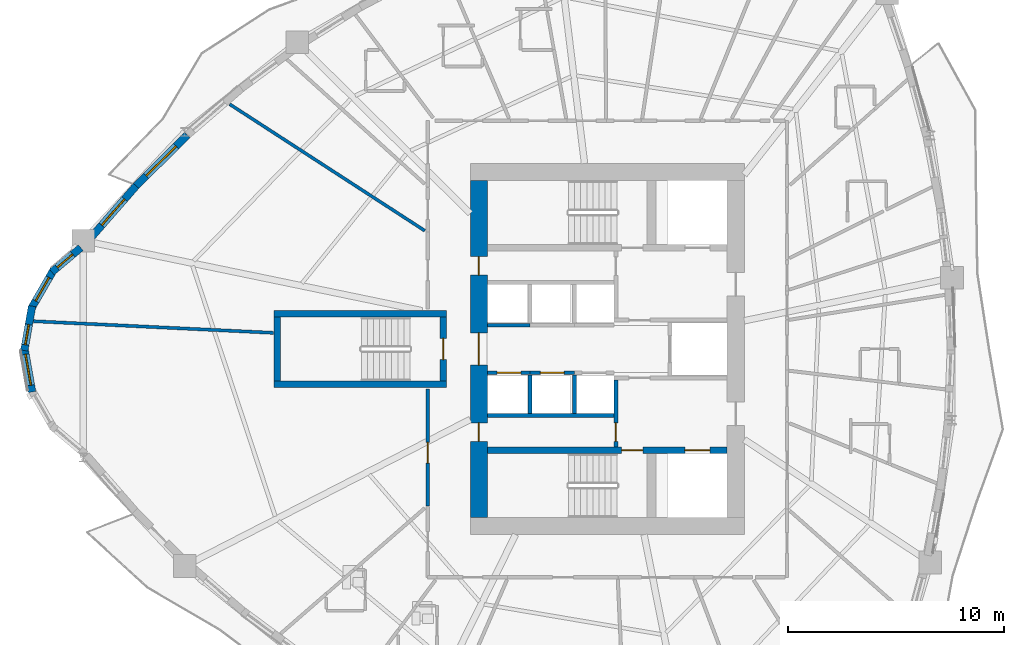
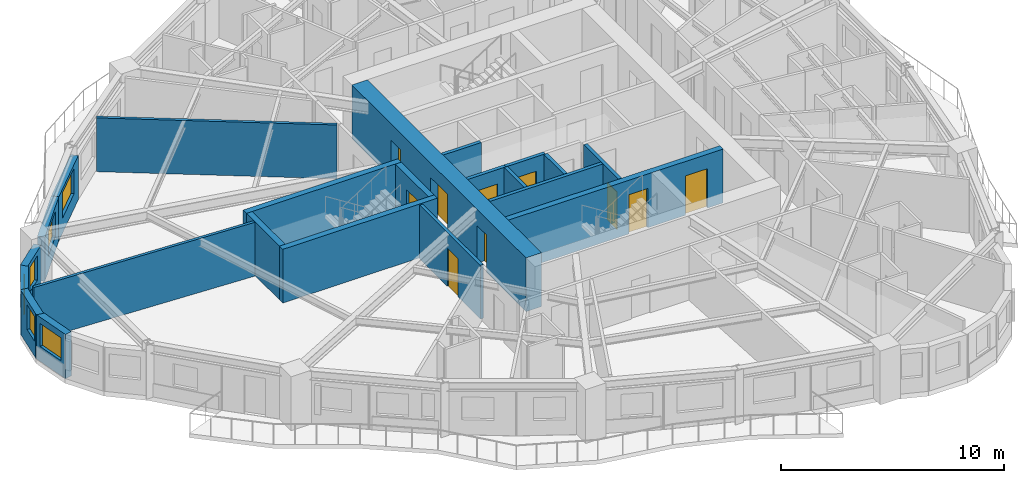
# One storey, part 4 of 14: 22 walls, 10 doors, 6 windows, 16 openings.
"""IFC4 building model written with IfcOpenShell, lengths in metres."""

from ifc_helpers import new_model, si_unit, direction, frame, frame_2d, origin, place, context, subcontext, project, spatial, rectangle, extrude, source, transform, mapped, material, layer, layer_set, type_object, element, fill, save


model = new_model("IFC4")

# Units and contexts
model_context = context("Model", 3, precision=1e-05, world=origin(), true_north=direction((0.0, 1.0)))
body_context = subcontext(model_context, "Body", "Model", "MODEL_VIEW")
ifc_project = project(units=[si_unit("LENGTHUNIT", "METRE"), si_unit("AREAUNIT", "SQUARE_METRE"), si_unit("VOLUMEUNIT", "CUBIC_METRE"), si_unit("PLANEANGLEUNIT", "RADIAN"), si_unit("MASSUNIT", "GRAM", prefix="KILO")], contexts=[model_context])

# Site, building, storey
site_placement = place(None, origin())
site = spatial("IfcSite", under=ifc_project, at=site_placement, CompositionType="ELEMENT")
building_placement = place(site_placement, origin())
building = spatial("IfcBuilding", under=site, at=building_placement, Name="Qafzar Sky-Pleat Residences", CompositionType="ELEMENT")
storey_placement = place(building_placement, frame((0.0, 0.0, 43.0)))
storey = spatial("IfcBuildingStorey", under=building, at=storey_placement, Name="L12", CompositionType="ELEMENT", Elevation=43.0)

# Wall, opening, door
ifc_material_1 = material(Name="Acoustic gypsum plasterboard partition", Category="gypsum")
ifc_layer_1 = layer(ifc_material_1, 0.159912109375)
ifc_layer_set_1 = layer_set([ifc_layer_1], Name="Acoustic gypsum plasterboard partition")
wall_type_1 = type_object("IfcWallType", Name="PART-COR-160", PredefinedType="PARTITIONING", material=ifc_layer_set_1)
wall_1_placement = place(storey_placement, frame((22.02001953125, 18.721923828125, 0.0), z_axis=(0.0, 0.0, 1.0), x_axis=(0.0, 1.0, 0.0)))
wall_1 = element("IfcWall", 1, at=wall_1_placement, inside=storey, type_object=wall_type_1, Name="L12 Partition Wall PART-L12-PW-001", PredefinedType="PARTITIONING", context=body_context, shape_type="SweptSolid", body=[
    extrude(rectangle(XDim=5.427978515625, YDim=0.159912109375, at=frame_2d((2.7138671875, 0.0))), origin(), (0.0, 0.0, 1.0), 2.93994140625),
])
opening_1_placement = place(wall_1_placement, frame((1.99609375, 0.0, 0.0)))
opening_1 = element("IfcOpeningElement", 2, at=opening_1_placement, cuts=wall_1, Name="Opening ID-06", PredefinedType="OPENING", context=body_context, shape_type="SweptSolid", body=[
    extrude(rectangle(XDim=0.9599609375, YDim=2.10009765625, at=frame_2d((0.47998046875, 1.050048828125))), frame((0.0, 0.08984375, 0.0), z_axis=(0.0, -1.0, 0.0), x_axis=(1.0, 0.0, 0.0)), (0.0, 0.0, 1.0), 0.179931640625),
])
ifc_material_2 = material(Name="Timber-faced fire door", Category="wood")
door_type_1 = type_object("IfcDoorType", Name="DR-STD-960", OperationType="NOTDEFINED", PredefinedType="DOOR", material=ifc_material_2)
shared_shape_1 = source(origin(), body_context, "Body", "SweptSolid", [
    extrude(rectangle(XDim=0.9599609375, YDim=2.10009765625, at=frame_2d((0.47998046875, 1.050048828125))), frame((0.0, 0.02490234375, 0.0), z_axis=(0.0, -1.0, 0.0), x_axis=(1.0, 0.0, 0.0)), (0.0, 0.0, 1.0), 0.050048828125),
])
door_1_placement = place(opening_1_placement, origin())
door_1 = element("IfcDoor", 3, at=door_1_placement, inside=storey, type_object=door_type_1, Name="L12 Scholar Co-Working Workspace Door", OperationType="SINGLE_SWING_RIGHT", OverallHeight=2.10009765625, OverallWidth=0.9599609375, PredefinedType="DOOR", context=body_context, shape_type="MappedRepresentation", body=[
    mapped(shared_shape_1, transform((0.0, 0.0, 0.0), x_axis=(1.0, 0.0, 0.0), y_axis=(0.0, 1.0, 0.0), z_axis=(0.0, 0.0, 1.0), scale=1.0)),
])
fill(opening_1, door_1)

ifc_material_3 = material(Name="Concrete blockwork partition", Category="masonry")
ifc_layer_2 = layer(ifc_material_3, 0.179931640625)
ifc_layer_set_2 = layer_set([ifc_layer_2], Name="Concrete blockwork partition")
wall_type_2 = type_object("IfcWallType", Name="PART-SHAFT-180", PredefinedType="PARTITIONING", material=ifc_layer_set_2)
wall_2_placement = place(storey_placement, frame((30.75, 21.4599609375, 0.0), z_axis=(0.0, 0.0, 1.0), x_axis=(0.0, 1.0, 0.0)))
wall_2 = element("IfcWall", 4, at=wall_2_placement, inside=storey, type_object=wall_type_2, Name="L12 Partition Wall PART-L12-FFL1-W", PredefinedType="PARTITIONING", context=body_context, shape_type="SweptSolid", body=[
    extrude(rectangle(XDim=3.110107421875, YDim=0.179931640625, at=frame_2d((1.55517578125, 0.0))), origin(), (0.0, 0.0, 1.0), 2.93994140625),
])
opening_2_placement = place(wall_2_placement, frame((0.260009765625, 0.0, 0.0)))
opening_2 = element("IfcOpeningElement", 5, at=opening_2_placement, cuts=wall_2, Name="Opening ID-09", PredefinedType="OPENING", context=body_context, shape_type="SweptSolid", body=[
    extrude(rectangle(XDim=0.860107421875, YDim=2.050048828125, at=frame_2d((0.43017578125, 1.02490234375))), frame((0.0, 0.10009765625, 0.0), z_axis=(0.0, -1.0, 0.0), x_axis=(1.0, 0.0, 0.0)), (0.0, 0.0, 1.0), 0.199951171875),
])
door_type_2 = type_object("IfcDoorType", Name="DR-SVC-860", OperationType="NOTDEFINED", PredefinedType="DOOR", material=ifc_material_2)
shared_shape_2 = source(origin(), body_context, "Body", "SweptSolid", [
    extrude(rectangle(XDim=0.860107421875, YDim=2.050048828125, at=frame_2d((0.43017578125, 1.02490234375))), frame((0.0, 0.02490234375, 0.0), z_axis=(0.0, -1.0, 0.0), x_axis=(1.0, 0.0, 0.0)), (0.0, 0.0, 1.0), 0.050048828125),
])
door_2_placement = place(opening_2_placement, origin())
door_2 = element("IfcDoor", 6, at=door_2_placement, inside=storey, type_object=door_type_2, Name="L12 South Core Cupboard Door", OperationType="SINGLE_SWING_RIGHT", OverallHeight=2.050048828125, OverallWidth=0.860107421875, PredefinedType="DOOR", context=body_context, shape_type="MappedRepresentation", body=[
    mapped(shared_shape_2, transform((0.0, 0.0, 0.0), x_axis=(1.0, 0.0, 0.0), y_axis=(0.0, 1.0, 0.0), z_axis=(0.0, 0.0, 1.0), scale=1.0)),
])
fill(opening_2, door_2)

# Wall
wall_3_placement = place(storey_placement, frame((24.81005859375, 22.919921875, 0.0), z_axis=(0.0, 0.0, 1.0), x_axis=(1.0, 0.0, 0.0)))
element("IfcWall", 7, at=wall_3_placement, inside=storey, type_object=wall_type_2, Name="L12 Partition Wall PART-L12-P13-S", PredefinedType="PARTITIONING", context=body_context, shape_type="SweptSolid", body=[
    extrude(rectangle(XDim=5.83984375, YDim=0.179931640625, at=frame_2d((2.919921875, 0.0))), origin(), (0.0, 0.0, 1.0), 2.93994140625),
])

# Wall, opening, door
wall_4_placement = place(storey_placement, frame((24.81005859375, 24.89990234375, 0.0), z_axis=(0.0, 0.0, 1.0), x_axis=(1.0, 0.0, 0.0)))
wall_4 = element("IfcWall", 8, at=wall_4_placement, inside=storey, type_object=wall_type_2, Name="L12 Partition Wall PART-L12-P1-N", PredefinedType="PARTITIONING", context=body_context, shape_type="SweptSolid", body=[
    extrude(rectangle(XDim=1.96484375, YDim=0.179931640625, at=frame_2d((0.982421875, 0.0))), origin(), (0.0, 0.0, 1.0), 2.93994140625),
])
opening_3_placement = place(wall_4_placement, frame((0.4326171875, 0.0, 0.0)))
opening_3 = element("IfcOpeningElement", 9, at=opening_3_placement, cuts=wall_4, Name="Opening LD-01", PredefinedType="OPENING", context=body_context, shape_type="SweptSolid", body=[
    extrude(rectangle(XDim=1.10009765625, YDim=2.14990234375, at=frame_2d((0.550048828125, 1.074951171875))), frame((0.0, 0.10009765625, 0.0), z_axis=(0.0, -1.0, 0.0), x_axis=(1.0, 0.0, 0.0)), (0.0, 0.0, 1.0), 0.199951171875),
])
ifc_material_4 = material(Name="Stainless steel sliding landing door", Category="steel")
door_type_3 = type_object("IfcDoorType", Name="DR-LIFT-P", OperationType="DOUBLE_DOOR_SLIDING", PredefinedType="DOOR", material=ifc_material_4)
shared_shape_3 = source(origin(), body_context, "Body", "SweptSolid", [
    extrude(rectangle(XDim=1.10009765625, YDim=2.14990234375, at=frame_2d((0.550048828125, 1.074951171875))), frame((0.0, 0.02490234375, 0.0), z_axis=(0.0, -1.0, 0.0), x_axis=(1.0, 0.0, 0.0)), (0.0, 0.0, 1.0), 0.050048828125),
])
door_3_placement = place(opening_3_placement, origin())
door_3 = element("IfcDoor", 10, at=door_3_placement, inside=storey, type_object=door_type_3, Name="L12 Passenger Lift P1 Landing Door", OperationType="DOUBLE_DOOR_SLIDING", OverallHeight=2.14990234375, OverallWidth=1.10009765625, PredefinedType="DOOR", context=body_context, shape_type="MappedRepresentation", body=[
    mapped(shared_shape_3, transform((0.0, 0.0, 0.0), x_axis=(1.0, 0.0, 0.0), y_axis=(0.0, 1.0, 0.0), z_axis=(0.0, 0.0, 1.0), scale=1.0)),
])
fill(opening_3, door_3)

wall_5_placement = place(storey_placement, frame((26.77490234375, 24.89990234375, 0.0), z_axis=(0.0, 0.0, 1.0), x_axis=(1.0, 0.0, 0.0)))
wall_5 = element("IfcWall", 11, at=wall_5_placement, inside=storey, type_object=wall_type_2, Name="L12 Partition Wall PART-L12-P2-N", PredefinedType="PARTITIONING", context=body_context, shape_type="SweptSolid", body=[
    extrude(rectangle(XDim=2.050048828125, YDim=0.179931640625, at=frame_2d((1.02490234375, 0.0))), origin(), (0.0, 0.0, 1.0), 2.93994140625),
])
opening_4_placement = place(wall_5_placement, frame((0.47509765625, 0.0, 0.0)))
opening_4 = element("IfcOpeningElement", 12, at=opening_4_placement, cuts=wall_5, Name="Opening LD-01", PredefinedType="OPENING", context=body_context, shape_type="SweptSolid", body=[
    extrude(rectangle(XDim=1.10009765625, YDim=2.14990234375, at=frame_2d((0.550048828125, 1.074951171875))), frame((0.0, 0.10009765625, 0.0), z_axis=(0.0, -1.0, 0.0), x_axis=(1.0, 0.0, 0.0)), (0.0, 0.0, 1.0), 0.199951171875),
])
door_4_placement = place(opening_4_placement, origin())
door_4 = element("IfcDoor", 13, at=door_4_placement, inside=storey, type_object=door_type_3, Name="L12 Passenger Lift P2 Landing Door", OperationType="DOUBLE_DOOR_SLIDING", OverallHeight=2.14990234375, OverallWidth=1.10009765625, PredefinedType="DOOR", context=body_context, shape_type="MappedRepresentation", body=[
    mapped(shared_shape_3, transform((0.0, 0.0, 0.0), x_axis=(1.0, 0.0, 0.0), y_axis=(0.0, 1.0, 0.0), z_axis=(0.0, 0.0, 1.0), scale=1.0)),
])
fill(opening_4, door_4)

# Walls
for number, where, z_axis, x_axis, name in (
    (14, (26.77490234375, 23.02001953125, 0.0), (0.0, 0.0, 1.0), (0.0, 1.0, 0.0), "L12 Partition Wall PART-L12-P13-DIV-1"),
    (15, (28.824951171875, 23.02001953125, 0.0), (0.0, 0.0, 1.0), (0.0, 1.0, 0.0), "L12 Partition Wall PART-L12-P13-DIV-2"),
):
    element("IfcWall", number, at=place(storey_placement, frame(where, z_axis=z_axis, x_axis=x_axis)), inside=storey, type_object=wall_type_2, Name=name, PredefinedType="PARTITIONING", context=body_context, shape_type="SweptSolid", body=[
        extrude(rectangle(XDim=1.780029296875, YDim=0.179931640625, at=frame_2d((0.89013671875, 0.0))), origin(), (0.0, 0.0, 1.0), 2.93994140625),
    ])
wall_6_placement = place(storey_placement, frame((24.81005859375, 27.10009765625, 0.0), z_axis=(0.0, 0.0, 1.0), x_axis=(1.0, 0.0, 0.0)))
element("IfcWall", 16, at=wall_6_placement, inside=storey, type_object=wall_type_2, Name="L12 Partition Wall PART-L12-P4-S", PredefinedType="PARTITIONING", context=body_context, shape_type="SweptSolid", body=[
    extrude(rectangle(XDim=1.96484375, YDim=0.179931640625, at=frame_2d((0.982421875, 0.0))), origin(), (0.0, 0.0, 1.0), 2.93994140625),
])
ifc_layer_3 = layer(ifc_material_1, 0.14501953125)
ifc_layer_set_3 = layer_set([ifc_layer_3], Name="Acoustic gypsum plasterboard partition")
wall_type_3 = type_object("IfcWallType", Name="PART-UNIT-145", PredefinedType="PARTITIONING", material=ifc_layer_set_3)
wall_7_placement = place(storey_placement, frame((3.764892578125, 27.288818359375, 0.0), z_axis=(0.0, 0.0, 1.0), x_axis=(0.998826748689, -0.048426502082, 0.0)))
element("IfcWall", 17, at=wall_7_placement, inside=storey, type_object=wall_type_3, Name="L12 Partition Wall PART-L12-PW-037", PredefinedType="PARTITIONING", context=body_context, shape_type="SweptSolid", body=[
    extrude(rectangle(XDim=11.13671875, YDim=0.14501953125, at=frame_2d((5.568359375, 0.0))), origin(), (0.0, 0.0, 1.0), 2.93994140625),
])
wall_8_placement = place(storey_placement, frame((12.849853515625, 37.3466796875, 0.0), z_axis=(0.0, 0.0, 1.0), x_axis=(0.839070272759, -0.544023048567, 0.0)))
element("IfcWall", 18, at=wall_8_placement, inside=storey, type_object=wall_type_3, Name="L12 Partition Wall PART-L12-PW-039", PredefinedType="PARTITIONING", context=body_context, shape_type="SweptSolid", body=[
    extrude(rectangle(XDim=10.778564453125, YDim=0.14501953125, at=frame_2d((5.38916015625, 0.0))), origin(), (0.0, 0.0, 1.0), 2.93994140625),
])

# Wall, opening, window
ifc_material_5 = material(Name="Precast concrete C40/50 with honed Riyadh limestone", Category="concrete")
ifc_layer_4 = layer(ifc_material_5, 0.35009765625)
ifc_layer_set_4 = layer_set([ifc_layer_4], Name="Precast concrete C40/50 with honed Riyadh limestone")
wall_type_4 = type_object("IfcWallType", Name="WALL-EXT-350", PredefinedType="SOLIDWALL", material=ifc_layer_set_4)
wall_9_placement = place(storey_placement, frame((5.94775390625, 30.696044921875, 0.0), z_axis=(0.0, 0.0, 1.0), x_axis=(-0.766058770736, -0.642770534311, 0.0)))
wall_9 = element("IfcWall", 19, at=wall_9_placement, inside=storey, type_object=wall_type_4, Name="L12 Limestone Facade Wall 1", PredefinedType="SOLIDWALL", context=body_context, shape_type="SweptSolid", body=[
    extrude(rectangle(XDim=1.75244140625, YDim=0.35009765625, at=frame_2d((0.876220703125, 0.0))), origin(), (0.0, 0.0, 1.0), 2.419921875),
])
opening_5_placement = place(wall_9_placement, frame((0.476318359375, 0.0, 0.820068359375)))
opening_5 = element("IfcOpeningElement", 20, at=opening_5_placement, cuts=wall_9, Name="Opening WN-12", PredefinedType="OPENING", context=body_context, shape_type="SweptSolid", body=[
    extrude(rectangle(XDim=0.949951171875, YDim=1.35009765625, at=frame_2d((0.47509765625, 0.675048828125))), frame((0.0, 0.18505859375, 0.0), z_axis=(0.0, -1.0, 0.0), x_axis=(1.0, 0.0, 0.0)), (0.0, 0.0, 1.0), 0.3701171875),
])
ifc_material_6 = material(Name="Solar-control low-E glass in bronze aluminium frame", Category="glass")
window_type_1 = type_object("IfcWindowType", Name="WIN-12", PartitioningType="SINGLE_PANEL", PredefinedType="WINDOW", material=ifc_material_6)
shared_shape_4 = source(origin(), body_context, "Body", "SweptSolid", [
    extrude(rectangle(XDim=0.949951171875, YDim=1.35009765625, at=frame_2d((0.47509765625, 0.675048828125))), frame((0.0, 0.030029296875, 0.0), z_axis=(0.0, -1.0, 0.0), x_axis=(1.0, 0.0, 0.0)), (0.0, 0.0, 1.0), 0.06005859375),
])
window_1_placement = place(opening_5_placement, origin())
window_1 = element("IfcWindow", 21, at=window_1_placement, inside=storey, type_object=window_type_1, Name="L12 Punched Facade Window 01", OverallHeight=1.35009765625, OverallWidth=0.949951171875, PartitioningType="SINGLE_PANEL", PredefinedType="WINDOW", context=body_context, shape_type="MappedRepresentation", body=[
    mapped(shared_shape_4, transform((0.0, 0.0, 0.0), x_axis=(1.0, 0.0, 0.0), y_axis=(0.0, 1.0, 0.0), z_axis=(0.0, 0.0, 1.0), scale=1.0)),
])
fill(opening_5, window_1)

wall_10_placement = place(storey_placement, frame((4.6923828125, 29.673583984375, 0.0), z_axis=(0.0, 0.0, 1.0), x_axis=(-0.49990781971, -0.866078617559, 0.0)))
wall_10 = element("IfcWall", 22, at=wall_10_placement, inside=storey, type_object=wall_type_4, Name="L12 Limestone Facade Wall 2", PredefinedType="SOLIDWALL", context=body_context, shape_type="SweptSolid", body=[
    extrude(rectangle(XDim=2.09033203125, YDim=0.35009765625, at=frame_2d((1.045166015625, 0.0))), origin(), (0.0, 0.0, 1.0), 2.419921875),
])
opening_6_placement = place(wall_10_placement, frame((0.420166015625, 0.0, 0.820068359375)))
opening_6 = element("IfcOpeningElement", 23, at=opening_6_placement, cuts=wall_10, Name="Opening WN-11", PredefinedType="OPENING", context=body_context, shape_type="SweptSolid", body=[
    extrude(rectangle(XDim=1.25, YDim=1.35009765625, at=frame_2d((0.625, 0.675048828125))), frame((0.0, 0.18505859375, 0.0), z_axis=(0.0, -1.0, 0.0), x_axis=(1.0, 0.0, 0.0)), (0.0, 0.0, 1.0), 0.3701171875),
])
window_type_2 = type_object("IfcWindowType", Name="WIN-11", PartitioningType="SINGLE_PANEL", PredefinedType="WINDOW", material=ifc_material_6)
shared_shape_5 = source(origin(), body_context, "Body", "SweptSolid", [
    extrude(rectangle(XDim=1.25, YDim=1.35009765625, at=frame_2d((0.625, 0.675048828125))), frame((0.0, 0.030029296875, 0.0), z_axis=(0.0, -1.0, 0.0), x_axis=(1.0, 0.0, 0.0)), (0.0, 0.0, 1.0), 0.06005859375),
])
window_2_placement = place(opening_6_placement, origin())
window_2 = element("IfcWindow", 24, at=window_2_placement, inside=storey, type_object=window_type_2, Name="L12 Punched Facade Window 02", OverallHeight=1.35009765625, OverallWidth=1.25, PartitioningType="SINGLE_PANEL", PredefinedType="WINDOW", context=body_context, shape_type="MappedRepresentation", body=[
    mapped(shared_shape_5, transform((0.0, 0.0, 0.0), x_axis=(1.0, 0.0, 0.0), y_axis=(0.0, 1.0, 0.0), z_axis=(0.0, 0.0, 1.0), scale=1.0)),
])
fill(opening_6, window_2)

wall_11_placement = place(storey_placement, frame((3.693603515625, 27.99072265625, 0.0), z_axis=(0.0, 0.0, 1.0), x_axis=(-0.173558792186, -0.984823509902, 0.0)))
wall_11 = element("IfcWall", 25, at=wall_11_placement, inside=storey, type_object=wall_type_4, Name="L12 Limestone Facade Wall 3", PredefinedType="SOLIDWALL", context=body_context, shape_type="SweptSolid", body=[
    extrude(rectangle(XDim=2.09033203125, YDim=0.35009765625, at=frame_2d((1.045166015625, 0.0))), origin(), (0.0, 0.0, 1.0), 2.419921875),
])
opening_7_placement = place(wall_11_placement, frame((0.871337890625, 0.0, 0.820068359375)))
opening_7 = element("IfcOpeningElement", 26, at=opening_7_placement, cuts=wall_11, Name="Opening WN-12", PredefinedType="OPENING", context=body_context, shape_type="SweptSolid", body=[
    extrude(rectangle(XDim=0.949951171875, YDim=1.35009765625, at=frame_2d((0.47509765625, 0.675048828125))), frame((0.0, 0.18505859375, 0.0), z_axis=(0.0, -1.0, 0.0), x_axis=(1.0, 0.0, 0.0)), (0.0, 0.0, 1.0), 0.3701171875),
])
window_3_placement = place(opening_7_placement, origin())
window_3 = element("IfcWindow", 27, at=window_3_placement, inside=storey, type_object=window_type_1, Name="L12 Punched Facade Window 03-2", OverallHeight=1.35009765625, OverallWidth=0.949951171875, PartitioningType="SINGLE_PANEL", PredefinedType="WINDOW", context=body_context, shape_type="MappedRepresentation", body=[
    mapped(shared_shape_4, transform((0.0, 0.0, 0.0), x_axis=(1.0, 0.0, 0.0), y_axis=(0.0, 1.0, 0.0), z_axis=(0.0, 0.0, 1.0), scale=1.0)),
])
fill(opening_7, window_3)

wall_12_placement = place(storey_placement, frame((3.330810546875, 26.06787109375, 0.0), z_axis=(0.0, 0.0, 1.0), x_axis=(0.173558792186, -0.984823509902, 0.0)))
wall_12 = element("IfcWall", 28, at=wall_12_placement, inside=storey, type_object=wall_type_4, Name="L12 Limestone Facade Wall 4", PredefinedType="SOLIDWALL", context=body_context, shape_type="SweptSolid", body=[
    extrude(rectangle(XDim=2.09033203125, YDim=0.35009765625, at=frame_2d((1.045166015625, 0.0))), origin(), (0.0, 0.0, 1.0), 2.419921875),
])
opening_8_placement = place(wall_12_placement, frame((0.3203125, 0.0, 0.820068359375)))
opening_8 = element("IfcOpeningElement", 29, at=opening_8_placement, cuts=wall_12, Name="Opening WN-15", PredefinedType="OPENING", context=body_context, shape_type="SweptSolid", body=[
    extrude(rectangle(XDim=1.449951171875, YDim=1.25, at=frame_2d((0.72509765625, 0.625))), frame((0.0, 0.18505859375, 0.0), z_axis=(0.0, -1.0, 0.0), x_axis=(1.0, 0.0, 0.0)), (0.0, 0.0, 1.0), 0.3701171875),
])
window_type_3 = type_object("IfcWindowType", Name="WIN-15", PartitioningType="SINGLE_PANEL", PredefinedType="WINDOW", material=ifc_material_6)
shared_shape_6 = source(origin(), body_context, "Body", "SweptSolid", [
    extrude(rectangle(XDim=1.449951171875, YDim=1.25, at=frame_2d((0.72509765625, 0.625))), frame((0.0, 0.030029296875, 0.0), z_axis=(0.0, -1.0, 0.0), x_axis=(1.0, 0.0, 0.0)), (0.0, 0.0, 1.0), 0.06005859375),
])
window_4_placement = place(opening_8_placement, origin())
window_4 = element("IfcWindow", 30, at=window_4_placement, inside=storey, type_object=window_type_3, Name="L12 Punched Facade Window 04", OverallHeight=1.25, OverallWidth=1.449951171875, PartitioningType="SINGLE_PANEL", PredefinedType="WINDOW", context=body_context, shape_type="MappedRepresentation", body=[
    mapped(shared_shape_6, transform((0.0, 0.0, 0.0), x_axis=(1.0, 0.0, 0.0), y_axis=(0.0, 1.0, 0.0), z_axis=(0.0, 0.0, 1.0), scale=1.0)),
])
fill(opening_8, window_4)

wall_13_placement = place(storey_placement, frame((10.882568359375, 35.917724609375, 0.0), z_axis=(0.0, 0.0, 1.0), x_axis=(-0.708386995502, -0.70582424484, 0.0)))
wall_13 = element("IfcWall", 31, at=wall_13_placement, inside=storey, type_object=wall_type_4, Name="L12 Limestone Facade Wall 47", PredefinedType="SOLIDWALL", context=body_context, shape_type="SweptSolid", body=[
    extrude(rectangle(XDim=3.429443359375, YDim=0.35009765625, at=frame_2d((1.71484375, 0.0))), origin(), (0.0, 0.0, 1.0), 2.419921875),
])
opening_9_placement = place(wall_13_placement, frame((0.729736328125, 0.0, 0.820068359375)))
opening_9 = element("IfcOpeningElement", 32, at=opening_9_placement, cuts=wall_13, Name="Opening WN-08", PredefinedType="OPENING", context=body_context, shape_type="SweptSolid", body=[
    extrude(rectangle(XDim=1.949951171875, YDim=1.39990234375, at=frame_2d((0.97509765625, 0.699951171875))), frame((0.0, 0.18505859375, 0.0), z_axis=(0.0, -1.0, 0.0), x_axis=(1.0, 0.0, 0.0)), (0.0, 0.0, 1.0), 0.3701171875),
])
window_type_4 = type_object("IfcWindowType", Name="WIN-08", PartitioningType="DOUBLE_PANEL_VERTICAL", PredefinedType="WINDOW", material=ifc_material_6)
shared_shape_7 = source(origin(), body_context, "Body", "SweptSolid", [
    extrude(rectangle(XDim=1.949951171875, YDim=1.39990234375, at=frame_2d((0.97509765625, 0.699951171875))), frame((0.0, 0.030029296875, 0.0), z_axis=(0.0, -1.0, 0.0), x_axis=(1.0, 0.0, 0.0)), (0.0, 0.0, 1.0), 0.06005859375),
])
window_5_placement = place(opening_9_placement, origin())
window_5 = element("IfcWindow", 33, at=window_5_placement, inside=storey, type_object=window_type_4, Name="L12 Punched Facade Window 47", OverallHeight=1.39990234375, OverallWidth=1.949951171875, PartitioningType="SINGLE_PANEL", PredefinedType="WINDOW", context=body_context, shape_type="MappedRepresentation", body=[
    mapped(shared_shape_7, transform((0.0, 0.0, 0.0), x_axis=(1.0, 0.0, 0.0), y_axis=(0.0, 1.0, 0.0), z_axis=(0.0, 0.0, 1.0), scale=1.0)),
])
fill(opening_9, window_5)

wall_14_placement = place(storey_placement, frame((8.51318359375, 33.561279296875, 0.0), z_axis=(0.0, 0.0, 1.0), x_axis=(-0.657640586907, -0.753331838205, 0.0)))
wall_14 = element("IfcWall", 34, at=wall_14_placement, inside=storey, type_object=wall_type_4, Name="L12 Limestone Facade Wall 48", PredefinedType="SOLIDWALL", context=body_context, shape_type="SweptSolid", body=[
    extrude(rectangle(XDim=3.222412109375, YDim=0.35009765625, at=frame_2d((1.611328125, 0.0))), origin(), (0.0, 0.0, 1.0), 2.419921875),
])
opening_10_placement = place(wall_14_placement, frame((0.816162109375, 0.0, 0.820068359375)))
opening_10 = element("IfcOpeningElement", 35, at=opening_10_placement, cuts=wall_14, Name="Opening WN-09", PredefinedType="OPENING", context=body_context, shape_type="SweptSolid", body=[
    extrude(rectangle(XDim=1.60009765625, YDim=1.35009765625, at=frame_2d((0.800048828125, 0.675048828125))), frame((0.0, 0.18505859375, 0.0), z_axis=(0.0, -1.0, 0.0), x_axis=(1.0, 0.0, 0.0)), (0.0, 0.0, 1.0), 0.3701171875),
])
window_type_5 = type_object("IfcWindowType", Name="WIN-09", PartitioningType="DOUBLE_PANEL_VERTICAL", PredefinedType="WINDOW", material=ifc_material_6)
shared_shape_8 = source(origin(), body_context, "Body", "SweptSolid", [
    extrude(rectangle(XDim=1.60009765625, YDim=1.35009765625, at=frame_2d((0.800048828125, 0.675048828125))), frame((0.0, 0.030029296875, 0.0), z_axis=(0.0, -1.0, 0.0), x_axis=(1.0, 0.0, 0.0)), (0.0, 0.0, 1.0), 0.06005859375),
])
window_6_placement = place(opening_10_placement, origin())
window_6 = element("IfcWindow", 36, at=window_6_placement, inside=storey, type_object=window_type_5, Name="L12 Punched Facade Window 48", OverallHeight=1.35009765625, OverallWidth=1.60009765625, PartitioningType="SINGLE_PANEL", PredefinedType="WINDOW", context=body_context, shape_type="MappedRepresentation", body=[
    mapped(shared_shape_8, transform((0.0, 0.0, 0.0), x_axis=(1.0, 0.0, 0.0), y_axis=(0.0, 1.0, 0.0), z_axis=(0.0, 0.0, 1.0), scale=1.0)),
])
fill(opening_10, window_6)

# Wall, openings, doors
ifc_material_7 = material(Name="Concrete C60/75", Category="concrete")
ifc_layer_5 = layer(ifc_material_7, 0.300048828125)
ifc_layer_set_5 = layer_set([ifc_layer_5], Name="Concrete C60/75")
wall_type_5 = type_object("IfcWallType", Name="WALL-SHEAR-300", PredefinedType="SHEAR", material=ifc_layer_set_5)
wall_15_placement = place(storey_placement, frame((24.800048828125, 21.300048828125, 0.0), z_axis=(0.0, 0.0, 1.0), x_axis=(1.0, 0.0, 0.0)))
wall_15 = element("IfcWall", 37, at=wall_15_placement, inside=storey, type_object=wall_type_5, Name="L12 Stair ST1 and FF1 Shaft North Wall", PredefinedType="SHEAR", context=body_context, shape_type="SweptSolid", body=[
    extrude(rectangle(XDim=11.099853515625, YDim=0.300048828125, at=frame_2d((5.5498046875, 0.0))), origin(), (0.0, 0.0, 1.0), 2.93994140625),
])
opening_11_placement = place(wall_15_placement, frame((6.219970703125, 0.0, 0.0)))
opening_11 = element("IfcOpeningElement", 38, at=opening_11_placement, cuts=wall_15, Name="Opening ID-01", PredefinedType="OPENING", context=body_context, shape_type="SweptSolid", body=[
    extrude(rectangle(XDim=0.97998046875, YDim=2.14990234375, at=frame_2d((0.489990234375, 1.074951171875))), frame((0.0, 0.16015625, 0.0), z_axis=(0.0, -1.0, 0.0), x_axis=(1.0, 0.0, 0.0)), (0.0, 0.0, 1.0), 0.320068359375),
])
opening_12_placement = place(wall_15_placement, frame((9.14990234375, 0.0, 0.0)))
opening_12 = element("IfcOpeningElement", 39, at=opening_12_placement, cuts=wall_15, Name="Opening LD-02", PredefinedType="OPENING", context=body_context, shape_type="SweptSolid", body=[
    extrude(rectangle(XDim=1.14990234375, YDim=2.14990234375, at=frame_2d((0.574951171875, 1.074951171875))), frame((0.0, 0.16015625, 0.0), z_axis=(0.0, -1.0, 0.0), x_axis=(1.0, 0.0, 0.0)), (0.0, 0.0, 1.0), 0.320068359375),
])
door_type_4 = type_object("IfcDoorType", Name="DR-STAIR-980", OperationType="NOTDEFINED", PredefinedType="DOOR", material=ifc_material_2)
shared_shape_9 = source(origin(), body_context, "Body", "SweptSolid", [
    extrude(rectangle(XDim=0.97998046875, YDim=2.14990234375, at=frame_2d((0.489990234375, 1.074951171875))), frame((0.0, 0.02490234375, 0.0), z_axis=(0.0, -1.0, 0.0), x_axis=(1.0, 0.0, 0.0)), (0.0, 0.0, 1.0), 0.050048828125),
])
door_5_placement = place(opening_11_placement, origin())
door_5 = element("IfcDoor", 40, at=door_5_placement, inside=storey, type_object=door_type_4, Name="L12 Stair ST1 Fire Door", OperationType="SINGLE_SWING_LEFT", OverallHeight=2.14990234375, OverallWidth=0.97998046875, PredefinedType="DOOR", context=body_context, shape_type="MappedRepresentation", body=[
    mapped(shared_shape_9, transform((0.0, 0.0, 0.0), x_axis=(1.0, 0.0, 0.0), y_axis=(0.0, 1.0, 0.0), z_axis=(0.0, 0.0, 1.0), scale=1.0)),
])
fill(opening_11, door_5)
door_type_5 = type_object("IfcDoorType", Name="DR-LIFT-FF", OperationType="DOUBLE_DOOR_SLIDING", PredefinedType="DOOR", material=ifc_material_4)
shared_shape_10 = source(origin(), body_context, "Body", "SweptSolid", [
    extrude(rectangle(XDim=1.14990234375, YDim=2.14990234375, at=frame_2d((0.574951171875, 1.074951171875))), frame((0.0, 0.02490234375, 0.0), z_axis=(0.0, -1.0, 0.0), x_axis=(1.0, 0.0, 0.0)), (0.0, 0.0, 1.0), 0.050048828125),
])
door_6_placement = place(opening_12_placement, origin())
door_6 = element("IfcDoor", 41, at=door_6_placement, inside=storey, type_object=door_type_5, Name="L12 Firefighting Lift FF1 Landing Door", OperationType="DOUBLE_DOOR_SLIDING", OverallHeight=2.14990234375, OverallWidth=1.14990234375, PredefinedType="DOOR", context=body_context, shape_type="MappedRepresentation", body=[
    mapped(shared_shape_10, transform((0.0, 0.0, 0.0), x_axis=(1.0, 0.0, 0.0), y_axis=(0.0, 1.0, 0.0), z_axis=(0.0, 0.0, 1.0), scale=1.0)),
])
fill(opening_12, door_6)

# Walls
for number, where, z_axis, x_axis, name in (
    (42, (14.89990234375, 24.375, 0.0), (0.0, 0.0, 1.0), (1.0, 0.0, 0.0), "L12 ST3 wall S"),
    (43, (22.89990234375, 27.625, 0.0), (0.0, 0.0, 1.0), (-1.0, 0.0, 0.0), "L12 ST3 wall N"),
):
    element("IfcWall", number, at=place(storey_placement, frame(where, z_axis=z_axis, x_axis=x_axis)), inside=storey, type_object=wall_type_5, Name=name, PredefinedType="SHEAR", context=body_context, shape_type="SweptSolid", body=[
        extrude(rectangle(XDim=8.0, YDim=0.300048828125, at=frame_2d((4.0, 0.0))), origin(), (0.0, 0.0, 1.0), 2.93994140625),
    ])
wall_16_placement = place(storey_placement, frame((15.050048828125, 27.47509765625, 0.0), z_axis=(0.0, 0.0, 1.0), x_axis=(0.0, -1.0, 0.0)))
element("IfcWall", 44, at=wall_16_placement, inside=storey, type_object=wall_type_5, Name="L12 ST3 wall W", PredefinedType="SHEAR", context=body_context, shape_type="SweptSolid", body=[
    extrude(rectangle(XDim=2.9501953125, YDim=0.300048828125, at=frame_2d((1.47509765625, 0.0))), origin(), (0.0, 0.0, 1.0), 2.93994140625),
])

# Wall, opening, door
wall_17_placement = place(storey_placement, frame((22.75, 24.52490234375, 0.0), z_axis=(0.0, 0.0, 1.0), x_axis=(0.0, 1.0, 0.0)))
wall_17 = element("IfcWall", 45, at=wall_17_placement, inside=storey, type_object=wall_type_5, Name="L12 ST3 wall E", PredefinedType="SHEAR", context=body_context, shape_type="SweptSolid", body=[
    extrude(rectangle(XDim=2.9501953125, YDim=0.300048828125, at=frame_2d((1.47509765625, 0.0))), origin(), (0.0, 0.0, 1.0), 2.93994140625),
])
opening_13_placement = place(wall_17_placement, frame((0.985107421875, 0.0, 0.0)))
opening_13 = element("IfcOpeningElement", 46, at=opening_13_placement, cuts=wall_17, Name="Opening ID-01", PredefinedType="OPENING", context=body_context, shape_type="SweptSolid", body=[
    extrude(rectangle(XDim=0.97998046875, YDim=2.14990234375, at=frame_2d((0.489990234375, 1.074951171875))), frame((0.0, 0.16015625, 0.0), z_axis=(0.0, -1.0, 0.0), x_axis=(1.0, 0.0, 0.0)), (0.0, 0.0, 1.0), 0.320068359375),
])
door_7_placement = place(opening_13_placement, origin())
door_7 = element("IfcDoor", 47, at=door_7_placement, inside=storey, type_object=door_type_4, Name="L12 Stair ST3 Fire Door", OperationType="SINGLE_SWING_LEFT", OverallHeight=2.14990234375, OverallWidth=0.97998046875, PredefinedType="DOOR", context=body_context, shape_type="MappedRepresentation", body=[
    mapped(shared_shape_9, transform((0.0, 0.0, 0.0), x_axis=(1.0, 0.0, 0.0), y_axis=(0.0, 1.0, 0.0), z_axis=(0.0, 0.0, 1.0), scale=1.0)),
])
fill(opening_13, door_7)

# Wall, openings, doors
ifc_layer_6 = layer(ifc_material_7, 0.800048828125)
ifc_layer_set_6 = layer_set([ifc_layer_6], Name="Concrete C60/75")
wall_type_6 = type_object("IfcWallType", Name="WALL-SHEAR-800", PredefinedType="SHEAR", material=ifc_layer_set_6)
wall_18_placement = place(storey_placement, frame((24.39990234375, 33.800048828125, 0.0), z_axis=(0.0, 0.0, 1.0), x_axis=(0.0, -1.0, 0.0)))
wall_18 = element("IfcWall", 48, at=wall_18_placement, inside=storey, type_object=wall_type_6, Name="L12 CORE wall W", PredefinedType="SHEAR", context=body_context, shape_type="SweptSolid", body=[
    extrude(rectangle(XDim=15.60009765625, YDim=0.800048828125, at=frame_2d((7.800048828125, 0.0))), origin(), (0.0, 0.0, 1.0), 2.93994140625),
])
opening_14_placement = place(wall_18_placement, frame((7.050048828125, 0.0, 0.0)))
opening_14 = element("IfcOpeningElement", 49, at=opening_14_placement, cuts=wall_18, Name="Opening ID-03", PredefinedType="OPENING", context=body_context, shape_type="SweptSolid", body=[
    extrude(rectangle(XDim=1.5, YDim=2.14990234375, at=frame_2d((0.75, 1.074951171875))), frame((0.0, 0.41015625, 0.0), z_axis=(0.0, -1.0, 0.0), x_axis=(1.0, 0.0, 0.0)), (0.0, 0.0, 1.0), 0.820068359375),
])
opening_15_placement = place(wall_18_placement, frame((3.52001953125, 0.0, 0.0)))
opening_15 = element("IfcOpeningElement", 50, at=opening_15_placement, cuts=wall_18, Name="Opening ID-09", PredefinedType="OPENING", context=body_context, shape_type="SweptSolid", body=[
    extrude(rectangle(XDim=0.860107421875, YDim=2.050048828125, at=frame_2d((0.43017578125, 1.02490234375))), frame((0.0, 0.41015625, 0.0), z_axis=(0.0, -1.0, 0.0), x_axis=(1.0, 0.0, 0.0)), (0.0, 0.0, 1.0), 0.820068359375),
])
opening_16_placement = place(wall_18_placement, frame((11.219970703125, 0.0, 0.0)))
opening_16 = element("IfcOpeningElement", 51, at=opening_16_placement, cuts=wall_18, Name="Opening ID-09", PredefinedType="OPENING", context=body_context, shape_type="SweptSolid", body=[
    extrude(rectangle(XDim=0.860107421875, YDim=2.050048828125, at=frame_2d((0.43017578125, 1.02490234375))), frame((0.0, 0.41015625, 0.0), z_axis=(0.0, -1.0, 0.0), x_axis=(1.0, 0.0, 0.0)), (0.0, 0.0, 1.0), 0.820068359375),
])
door_type_6 = type_object("IfcDoorType", Name="DR-COR-1500", OperationType="DOUBLE_DOOR_SINGLE_SWING", PredefinedType="DOOR", material=ifc_material_2)
shared_shape_11 = source(origin(), body_context, "Body", "SweptSolid", [
    extrude(rectangle(XDim=1.5, YDim=2.14990234375, at=frame_2d((0.75, 1.074951171875))), frame((0.0, 0.02490234375, 0.0), z_axis=(0.0, -1.0, 0.0), x_axis=(1.0, 0.0, 0.0)), (0.0, 0.0, 1.0), 0.050048828125),
])
door_8_placement = place(opening_14_placement, origin())
door_8 = element("IfcDoor", 52, at=door_8_placement, inside=storey, type_object=door_type_6, Name="L12 Lift Lobby West Double Door", OperationType="DOUBLE_DOOR_SINGLE_SWING", OverallHeight=2.14990234375, OverallWidth=1.5, PredefinedType="DOOR", context=body_context, shape_type="MappedRepresentation", body=[
    mapped(shared_shape_11, transform((0.0, 0.0, 0.0), x_axis=(1.0, 0.0, 0.0), y_axis=(0.0, 1.0, 0.0), z_axis=(0.0, 0.0, 1.0), scale=1.0)),
])
fill(opening_14, door_8)
door_9_placement = place(opening_15_placement, origin())
door_9 = element("IfcDoor", 53, at=door_9_placement, inside=storey, type_object=door_type_2, Name="L12 Core North-West Service Door", OperationType="SINGLE_SWING_RIGHT", OverallHeight=2.050048828125, OverallWidth=0.860107421875, PredefinedType="DOOR", context=body_context, shape_type="MappedRepresentation", body=[
    mapped(shared_shape_2, transform((0.0, 0.0, 0.0), x_axis=(1.0, 0.0, 0.0), y_axis=(0.0, 1.0, 0.0), z_axis=(0.0, 0.0, 1.0), scale=1.0)),
])
fill(opening_15, door_9)
door_10_placement = place(opening_16_placement, origin())
door_10 = element("IfcDoor", 54, at=door_10_placement, inside=storey, type_object=door_type_2, Name="L12 Core South-West Service Door", OperationType="SINGLE_SWING_LEFT", OverallHeight=2.050048828125, OverallWidth=0.860107421875, PredefinedType="DOOR", context=body_context, shape_type="MappedRepresentation", body=[
    mapped(shared_shape_2, transform((0.0, 0.0, 0.0), x_axis=(1.0, 0.0, 0.0), y_axis=(0.0, 1.0, 0.0), z_axis=(0.0, 0.0, 1.0), scale=1.0)),
])
fill(opening_16, door_10)

save(model, "model.ifc")
